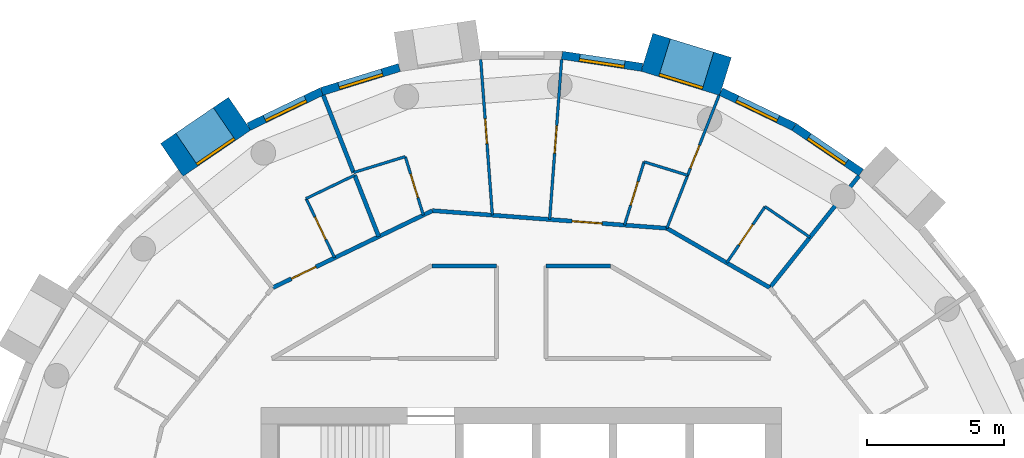
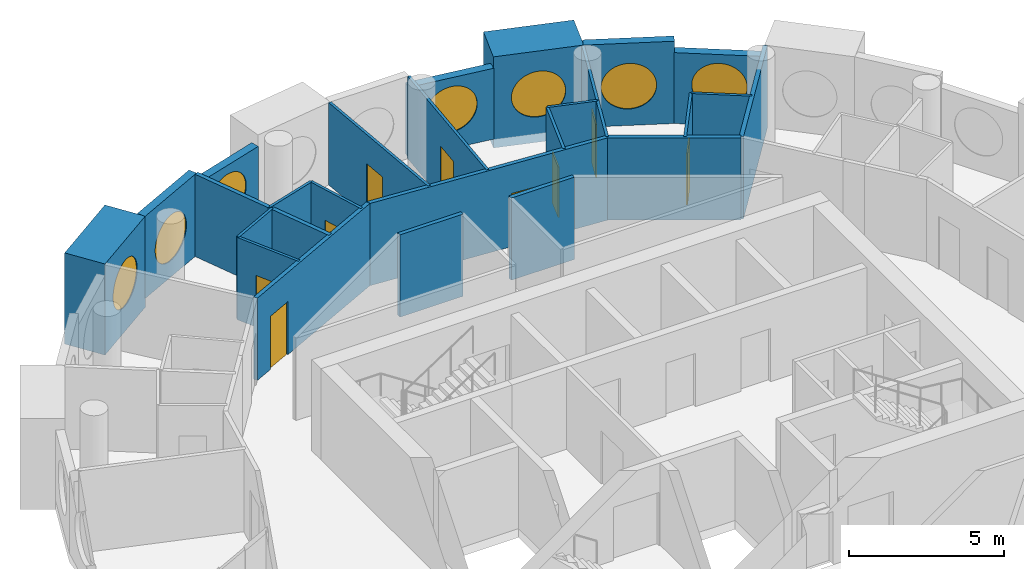
# One storey, part 10 of 12: 27 walls, 9 doors, 7 windows, 16 openings.
"""IFC4 building model written with IfcOpenShell, lengths in metres."""

from ifc_helpers import new_model, si_unit, direction, frame, frame_2d, origin, origin_2d, place, context, subcontext, project, spatial, rectangle, circle, extrude, material, layer, layer_set, type_object, element, fill, save


model = new_model("IFC4")

# Units and contexts
model_context = context("Model", 3, precision=1e-05, world=origin(), true_north=direction((0.0, 1.0)))
body_context = subcontext(model_context, "Body", "Model", "MODEL_VIEW")
ifc_project = project(units=[si_unit("LENGTHUNIT", "METRE"), si_unit("AREAUNIT", "SQUARE_METRE"), si_unit("VOLUMEUNIT", "CUBIC_METRE"), si_unit("PLANEANGLEUNIT", "RADIAN"), si_unit("MASSUNIT", "GRAM", prefix="KILO")], contexts=[model_context])

# Site, building, storey
site_placement = place(None, origin())
site = spatial("IfcSite", under=ifc_project, at=site_placement, CompositionType="ELEMENT")
building_placement = place(site_placement, origin())
building = spatial("IfcBuilding", under=site, at=building_placement, Name="Tracery Tower", CompositionType="ELEMENT")
storey_placement = place(building_placement, frame((0.0, 0.0, 305.39990234375)))
storey = spatial("IfcBuildingStorey", under=building, at=storey_placement, Name="L79", CompositionType="ELEMENT", Elevation=305.39990234375)

# Wall, opening, window
ifc_material_1 = material(Name="Precast concrete C50/60", Category="concrete")
ifc_layer_1 = layer(ifc_material_1, 1.449951171875)
ifc_layer_set_1 = layer_set([ifc_layer_1], Name="Deep-set bay unit 3000 x 3600, slab edge 350")
wall_type_1 = type_object("IfcWallType", Name="Deep-set bay unit 3000 x 3600, slab edge 350", PredefinedType="ELEMENTEDWALL", material=ifc_layer_set_1)
wall_1_placement = place(storey_placement, frame((7.45849609375, 19.0908203125, -0.349853515625), z_axis=(0.0, 0.0, 1.0), x_axis=(-0.955571139978, 0.294760574774, 0.0)))
wall_1 = element("IfcWall", 1, at=wall_1_placement, inside=storey, type_object=wall_type_1, Name="Deep-set bay unit 9 at L79", PredefinedType="ELEMENTEDWALL", context=body_context, shape_type="SweptSolid", body=[
    extrude(rectangle(XDim=3.0, YDim=1.449951171875, at=frame_2d((1.5, 0.0))), origin(), (0.0, 0.0, 1.0), 3.599853515625),
])
opening_1_placement = place(wall_1_placement, frame((1.5, 0.0, 1.89990234375)))
opening_1 = element("IfcOpeningElement", 2, at=opening_1_placement, cuts=wall_1, Name="Opening WN1", PredefinedType="OPENING", context=body_context, shape_type="SweptSolid", body=[
    extrude(circle(Radius=0.9000244140625, at=origin_2d()), frame((0.0, 0.73486328125, 0.0), z_axis=(0.0, -1.0, 0.0), x_axis=(1.0, 0.0, 0.0)), (0.0, 0.0, 1.0), 1.469970703125),
])
ifc_material_2 = material(Name="Aluminium frame with tinted double glazing", Category="aluminium")
window_type = type_object("IfcWindowType", Name="Round window 1800", PartitioningType="SINGLE_PANEL", PredefinedType="WINDOW", material=ifc_material_2)
window_1_placement = place(opening_1_placement, origin())
window_1 = element("IfcWindow", 3, at=window_1_placement, inside=storey, type_object=window_type, Name="Round window 9 at L79", OverallHeight=1.800048828125, OverallWidth=1.800048828125, PartitioningType="SINGLE_PANEL", PredefinedType="WINDOW", context=body_context, shape_type="SweptSolid", body=[
    extrude(circle(Radius=0.9000244140625, at=origin_2d()), frame((0.0, 0.69482421875, 0.0), z_axis=(0.0, -1.0, 0.0), x_axis=(1.0, 0.0, 0.0)), (0.0, 0.0, 1.0), 0.10009765625),
])
fill(opening_1, window_1)

wall_2_placement = place(storey_placement, frame((-10.275390625, 17.734130859375, -0.349853515625), z_axis=(0.0, 0.0, 1.0), x_axis=(-0.826246281157, -0.563309047392, 0.0)))
wall_2 = element("IfcWall", 4, at=wall_2_placement, inside=storey, type_object=wall_type_1, Name="Deep-set bay unit 15 at L79", PredefinedType="ELEMENTEDWALL", context=body_context, shape_type="SweptSolid", body=[
    extrude(rectangle(XDim=3.0, YDim=1.449951171875, at=frame_2d((1.5, 0.0))), origin(), (0.0, 0.0, 1.0), 3.599853515625),
])
opening_2_placement = place(wall_2_placement, frame((1.5, 0.0, 1.89990234375)))
opening_2 = element("IfcOpeningElement", 5, at=opening_2_placement, cuts=wall_2, Name="Opening WN1", PredefinedType="OPENING", context=body_context, shape_type="SweptSolid", body=[
    extrude(circle(Radius=0.9000244140625, at=origin_2d()), frame((0.0, 0.73486328125, 0.0), z_axis=(0.0, -1.0, 0.0), x_axis=(1.0, 0.0, 0.0)), (0.0, 0.0, 1.0), 1.469970703125),
])
window_2_placement = place(opening_2_placement, origin())
window_2 = element("IfcWindow", 6, at=window_2_placement, inside=storey, type_object=window_type, Name="Round window 15 at L79", OverallHeight=1.800048828125, OverallWidth=1.800048828125, PartitioningType="SINGLE_PANEL", PredefinedType="WINDOW", context=body_context, shape_type="SweptSolid", body=[
    extrude(circle(Radius=0.9000244140625, at=origin_2d()), frame((0.0, 0.69482421875, 0.0), z_axis=(0.0, -1.0, 0.0), x_axis=(1.0, 0.0, 0.0)), (0.0, 0.0, 1.0), 0.10009765625),
])
fill(opening_2, window_2)

ifc_material_3 = material(Name="Precast concrete C50/60", Category="concrete")
ifc_layer_2 = layer(ifc_material_3, 0.300048828125)
ifc_layer_set_2 = layer_set([ifc_layer_2], Name="Facade panel 3000 x 2800")
wall_type_2 = type_object("IfcWallType", Name="Facade panel 3000 x 2800", PredefinedType="SOLIDWALL", material=ifc_layer_set_2)
wall_3_placement = place(storey_placement, frame((12.408447265625, 15.583984375, 0.0), z_axis=(0.0, 0.0, 1.0), x_axis=(-0.826236061068, 0.563324037646, 0.0)))
wall_3 = element("IfcWall", 7, at=wall_3_placement, inside=storey, type_object=wall_type_2, Name="Facade panel 7 at L79", PredefinedType="SOLIDWALL", context=body_context, shape_type="SweptSolid", body=[
    extrude(rectangle(XDim=2.962158203125, YDim=0.300048828125, at=frame_2d((1.48095703125, 0.0))), origin(), (0.0, 0.0, 1.0), 2.800048828125),
])
opening_3_placement = place(wall_3_placement, frame((1.48095703125, 0.0, 1.5498046875)))
opening_3 = element("IfcOpeningElement", 8, at=opening_3_placement, cuts=wall_3, Name="Opening WN1", PredefinedType="OPENING", context=body_context, shape_type="SweptSolid", body=[
    extrude(circle(Radius=0.9000244140625, at=origin_2d()), frame((0.0, 0.159912109375, 0.0), z_axis=(0.0, -1.0, 0.0), x_axis=(1.0, 0.0, 0.0)), (0.0, 0.0, 1.0), 0.320068359375),
])
window_3_placement = place(opening_3_placement, origin())
window_3 = element("IfcWindow", 9, at=window_3_placement, inside=storey, type_object=window_type, Name="Round window 7 at L79", OverallHeight=1.800048828125, OverallWidth=1.800048828125, PartitioningType="SINGLE_PANEL", PredefinedType="WINDOW", context=body_context, shape_type="SweptSolid", body=[
    extrude(circle(Radius=0.9000244140625, at=origin_2d()), frame((0.0, 0.1201171875, 0.0), z_axis=(0.0, -1.0, 0.0), x_axis=(1.0, 0.0, 0.0)), (0.0, 0.0, 1.0), 0.10009765625),
])
fill(opening_3, window_3)

wall_4_placement = place(storey_placement, frame((4.41796875, 19.424560546875, 0.0), z_axis=(0.0, 0.0, 1.0), x_axis=(-0.988835775663, 0.149009425104, 0.0)))
wall_4 = element("IfcWall", 10, at=wall_4_placement, inside=storey, type_object=wall_type_2, Name="Facade panel 10 at L79", PredefinedType="SOLIDWALL", context=body_context, shape_type="SweptSolid", body=[
    extrude(rectangle(XDim=2.962158203125, YDim=0.300048828125, at=frame_2d((1.48095703125, 0.0))), origin(), (0.0, 0.0, 1.0), 2.800048828125),
])
opening_4_placement = place(wall_4_placement, frame((1.48095703125, 0.0, 1.5498046875)))
opening_4 = element("IfcOpeningElement", 11, at=opening_4_placement, cuts=wall_4, Name="Opening WN1", PredefinedType="OPENING", context=body_context, shape_type="SweptSolid", body=[
    extrude(circle(Radius=0.9000244140625, at=origin_2d()), frame((0.0, 0.159912109375, 0.0), z_axis=(0.0, -1.0, 0.0), x_axis=(1.0, 0.0, 0.0)), (0.0, 0.0, 1.0), 0.320068359375),
])
window_4_placement = place(opening_4_placement, origin())
window_4 = element("IfcWindow", 12, at=window_4_placement, inside=storey, type_object=window_type, Name="Round window 10 at L79", OverallHeight=1.800048828125, OverallWidth=1.800048828125, PartitioningType="SINGLE_PANEL", PredefinedType="WINDOW", context=body_context, shape_type="SweptSolid", body=[
    extrude(circle(Radius=0.9000244140625, at=origin_2d()), frame((0.0, 0.1201171875, 0.0), z_axis=(0.0, -1.0, 0.0), x_axis=(1.0, 0.0, 0.0)), (0.0, 0.0, 1.0), 0.10009765625),
])
fill(opening_4, window_4)

wall_5_placement = place(storey_placement, frame((-4.447509765625, 19.417724609375, 0.0), z_axis=(0.0, 0.0, 1.0), x_axis=(-0.95558635705, -0.294711238707, 0.0)))
wall_5 = element("IfcWall", 13, at=wall_5_placement, inside=storey, type_object=wall_type_2, Name="Facade panel 13 at L79", PredefinedType="SOLIDWALL", context=body_context, shape_type="SweptSolid", body=[
    extrude(rectangle(XDim=2.96240234375, YDim=0.300048828125, at=frame_2d((1.481201171875, 0.0))), origin(), (0.0, 0.0, 1.0), 2.800048828125),
])
opening_5_placement = place(wall_5_placement, frame((1.48095703125, 0.0, 1.5498046875)))
opening_5 = element("IfcOpeningElement", 14, at=opening_5_placement, cuts=wall_5, Name="Opening WN1", PredefinedType="OPENING", context=body_context, shape_type="SweptSolid", body=[
    extrude(circle(Radius=0.9000244140625, at=origin_2d()), frame((0.0, 0.159912109375, 0.0), z_axis=(0.0, -1.0, 0.0), x_axis=(1.0, 0.0, 0.0)), (0.0, 0.0, 1.0), 0.320068359375),
])
window_5_placement = place(opening_5_placement, origin())
window_5 = element("IfcWindow", 15, at=window_5_placement, inside=storey, type_object=window_type, Name="Round window 13 at L79", OverallHeight=1.800048828125, OverallWidth=1.800048828125, PartitioningType="SINGLE_PANEL", PredefinedType="WINDOW", context=body_context, shape_type="SweptSolid", body=[
    extrude(circle(Radius=0.9000244140625, at=origin_2d()), frame((0.0, 0.1201171875, 0.0), z_axis=(0.0, -1.0, 0.0), x_axis=(1.0, 0.0, 0.0)), (0.0, 0.0, 1.0), 0.10009765625),
])
fill(opening_5, window_5)

ifc_material_4 = material(Name="Precast concrete C50/60", Category="concrete")
ifc_layer_3 = layer(ifc_material_4, 0.300048828125)
ifc_layer_set_3 = layer_set([ifc_layer_3], Name="Facade panel 3000 x 3250")
wall_type_3 = type_object("IfcWallType", Name="Facade panel 3000 x 3250", PredefinedType="SOLIDWALL", material=ifc_layer_set_3)
wall_6_placement = place(storey_placement, frame((9.9609375, 17.252685546875, 0.0), z_axis=(0.0, 0.0, 1.0), x_axis=(-0.90095513435, 0.433912255978, 0.0)))
wall_6 = element("IfcWall", 16, at=wall_6_placement, inside=storey, type_object=wall_type_3, Name="Facade panel 8 at L79", PredefinedType="SOLIDWALL", context=body_context, shape_type="SweptSolid", body=[
    extrude(rectangle(XDim=2.96240234375, YDim=0.300048828125, at=frame_2d((1.481201171875, 0.0))), origin(), (0.0, 0.0, 1.0), 3.25),
])
opening_6_placement = place(wall_6_placement, frame((1.48095703125, 0.0, 1.5498046875)))
opening_6 = element("IfcOpeningElement", 17, at=opening_6_placement, cuts=wall_6, Name="Opening WN1", PredefinedType="OPENING", context=body_context, shape_type="SweptSolid", body=[
    extrude(circle(Radius=0.9000244140625, at=origin_2d()), frame((0.0, 0.159912109375, 0.0), z_axis=(0.0, -1.0, 0.0), x_axis=(1.0, 0.0, 0.0)), (0.0, 0.0, 1.0), 0.320068359375),
])
window_6_placement = place(opening_6_placement, origin())
window_6 = element("IfcWindow", 18, at=window_6_placement, inside=storey, type_object=window_type, Name="Round window 8 at L79", OverallHeight=1.800048828125, OverallWidth=1.800048828125, PartitioningType="SINGLE_PANEL", PredefinedType="WINDOW", context=body_context, shape_type="SweptSolid", body=[
    extrude(circle(Radius=0.9000244140625, at=origin_2d()), frame((0.0, 0.1201171875, 0.0), z_axis=(0.0, -1.0, 0.0), x_axis=(1.0, 0.0, 0.0)), (0.0, 0.0, 1.0), 0.10009765625),
])
fill(opening_6, window_6)

wall_7_placement = place(storey_placement, frame((-7.2783203125, 18.544677734375, 0.0), z_axis=(0.0, 0.0, 1.0), x_axis=(-0.900939615635, -0.433944476838, 0.0)))
wall_7 = element("IfcWall", 19, at=wall_7_placement, inside=storey, type_object=wall_type_3, Name="Facade panel 14 at L79", PredefinedType="SOLIDWALL", context=body_context, shape_type="SweptSolid", body=[
    extrude(rectangle(XDim=2.962158203125, YDim=0.300048828125, at=frame_2d((1.48095703125, 0.0))), origin(), (0.0, 0.0, 1.0), 3.25),
])
opening_7_placement = place(wall_7_placement, frame((1.48095703125, 0.0, 1.5498046875)))
opening_7 = element("IfcOpeningElement", 20, at=opening_7_placement, cuts=wall_7, Name="Opening WN1", PredefinedType="OPENING", context=body_context, shape_type="SweptSolid", body=[
    extrude(circle(Radius=0.9000244140625, at=origin_2d()), frame((0.0, 0.159912109375, 0.0), z_axis=(0.0, -1.0, 0.0), x_axis=(1.0, 0.0, 0.0)), (0.0, 0.0, 1.0), 0.320068359375),
])
window_7_placement = place(opening_7_placement, origin())
window_7 = element("IfcWindow", 21, at=window_7_placement, inside=storey, type_object=window_type, Name="Round window 14 at L79", OverallHeight=1.800048828125, OverallWidth=1.800048828125, PartitioningType="SINGLE_PANEL", PredefinedType="WINDOW", context=body_context, shape_type="SweptSolid", body=[
    extrude(circle(Radius=0.9000244140625, at=origin_2d()), frame((0.0, 0.1201171875, 0.0), z_axis=(0.0, -1.0, 0.0), x_axis=(1.0, 0.0, 0.0)), (0.0, 0.0, 1.0), 0.10009765625),
])
fill(opening_7, window_7)

# Wall, opening, door
ifc_material_5 = material(Name="Plasterboard on steel studs", Category="steel")
ifc_layer_4 = layer(ifc_material_5, 0.10009765625)
ifc_layer_set_4 = layer_set([ifc_layer_4], Name="Partition 100 stud")
wall_type_4 = type_object("IfcWallType", Name="Partition 100 stud", PredefinedType="PARTITIONING", material=ifc_layer_set_4)
wall_8_placement = place(storey_placement, frame((1.0400390625, 13.87109375, 0.0), z_axis=(0.0, 0.0, 1.0), x_axis=(0.074724712234, 0.997204200443, 0.0)))
wall_8 = element("IfcWall", 22, at=wall_8_placement, inside=storey, type_object=wall_type_4, Name="Stud partition RC8-054", PredefinedType="PARTITIONING", context=body_context, shape_type="SweptSolid", body=[
    extrude(rectangle(XDim=5.861328125, YDim=0.10009765625, at=frame_2d((2.9306640625, 0.0))), origin(), (0.0, 0.0, 1.0), 3.25),
])
opening_8_placement = place(wall_8_placement, frame((2.430908203125, 0.0, 0.0)))
opening_8 = element("IfcOpeningElement", 23, at=opening_8_placement, cuts=wall_8, Name="Opening RC8-11", PredefinedType="OPENING", context=body_context, shape_type="SweptSolid", body=[
    extrude(rectangle(XDim=1.0, YDim=2.0400390625, at=frame_2d((0.5, 1.02001953125))), frame((0.0, 0.050048828125, 0.0), z_axis=(0.0, -1.0, 0.0), x_axis=(1.0, 0.0, 0.0)), (0.0, 0.0, 1.0), 0.10009765625),
])
ifc_material_6 = material(Name="Timber door leaf", Category="wood")
door_type_1 = type_object("IfcDoorType", Name="Door communal room 1000", OperationType="NOTDEFINED", PredefinedType="DOOR", material=ifc_material_6)
door_1_placement = place(opening_8_placement, origin())
door_1 = element("IfcDoor", 24, at=door_1_placement, inside=storey, type_object=door_type_1, Name="Communal room door RC8-11", OperationType="SINGLE_SWING_RIGHT", OverallHeight=2.0400390625, OverallWidth=1.0, PredefinedType="DOOR", context=body_context, shape_type="SweptSolid", body=[
    extrude(rectangle(XDim=1.0, YDim=2.0400390625, at=frame_2d((0.5, 1.02001953125))), frame((0.0, 0.02490234375, 0.0), z_axis=(0.0, -1.0, 0.0), x_axis=(1.0, 0.0, 0.0)), (0.0, 0.0, 1.0), 0.050048828125),
])
fill(opening_8, door_1)

wall_9_placement = place(storey_placement, frame((6.076904296875, 15.485107421875, 0.0), z_axis=(0.0, 0.0, 1.0), x_axis=(0.365344119851, 0.93087253375, 0.0)))
wall_9 = element("IfcWall", 25, at=wall_9_placement, inside=storey, type_object=wall_type_4, Name="Stud partition RC8-057", PredefinedType="PARTITIONING", context=body_context, shape_type="SweptSolid", body=[
    extrude(rectangle(XDim=3.13671875, YDim=0.10009765625, at=frame_2d((1.568359375, 0.0))), origin(), (0.0, 0.0, 1.0), 3.25),
])
opening_9_placement = place(wall_9_placement, frame((0.27685546875, 0.0, 0.0)))
opening_9 = element("IfcOpeningElement", 26, at=opening_9_placement, cuts=wall_9, Name="Opening RC8-13", PredefinedType="OPENING", context=body_context, shape_type="SweptSolid", body=[
    extrude(rectangle(XDim=0.89990234375, YDim=2.10009765625, at=frame_2d((0.449951171875, 1.050048828125))), frame((0.0, 0.050048828125, 0.0), z_axis=(0.0, -1.0, 0.0), x_axis=(1.0, 0.0, 0.0)), (0.0, 0.0, 1.0), 0.10009765625),
])
ifc_material_7 = material(Name="Timber door leaf", Category="wood")
door_type_2 = type_object("IfcDoorType", Name="Door bedroom 900", OperationType="NOTDEFINED", PredefinedType="DOOR", material=ifc_material_7)
door_2_placement = place(opening_9_placement, origin())
door_2 = element("IfcDoor", 27, at=door_2_placement, inside=storey, type_object=door_type_2, Name="Bedroom door RC8-13", OperationType="SINGLE_SWING_RIGHT", OverallHeight=2.10009765625, OverallWidth=0.89990234375, PredefinedType="DOOR", context=body_context, shape_type="SweptSolid", body=[
    extrude(rectangle(XDim=0.89990234375, YDim=2.10009765625, at=frame_2d((0.449951171875, 1.050048828125))), frame((0.0, 0.02490234375, 0.0), z_axis=(0.0, -1.0, 0.0), x_axis=(1.0, 0.0, 0.0)), (0.0, 0.0, 1.0), 0.050048828125),
])
fill(opening_9, door_2)

wall_10_placement = place(storey_placement, frame((-1.47802734375, 19.716064453125, 0.0), z_axis=(0.0, 0.0, 1.0), x_axis=(0.074860175832, -0.997194040332, 0.0)))
wall_10 = element("IfcWall", 28, at=wall_10_placement, inside=storey, type_object=wall_type_4, Name="Stud partition RC8-058", PredefinedType="PARTITIONING", context=body_context, shape_type="SweptSolid", body=[
    extrude(rectangle(XDim=5.7041015625, YDim=0.10009765625, at=frame_2d((2.85205078125, 0.0))), origin(), (0.0, 0.0, 1.0), 3.25),
])
opening_10_placement = place(wall_10_placement, frame((2.181884765625, 0.0, 0.0)))
opening_10 = element("IfcOpeningElement", 29, at=opening_10_placement, cuts=wall_10, Name="Opening RC8-15", PredefinedType="OPENING", context=body_context, shape_type="SweptSolid", body=[
    extrude(rectangle(XDim=0.89990234375, YDim=2.10009765625, at=frame_2d((0.449951171875, 1.050048828125))), frame((0.0, 0.050048828125, 0.0), z_axis=(0.0, -1.0, 0.0), x_axis=(1.0, 0.0, 0.0)), (0.0, 0.0, 1.0), 0.10009765625),
])
door_3_placement = place(opening_10_placement, origin())
door_3 = element("IfcDoor", 30, at=door_3_placement, inside=storey, type_object=door_type_2, Name="Bedroom door RC8-15", OperationType="SINGLE_SWING_RIGHT", OverallHeight=2.10009765625, OverallWidth=0.89990234375, PredefinedType="DOOR", context=body_context, shape_type="SweptSolid", body=[
    extrude(rectangle(XDim=0.89990234375, YDim=2.10009765625, at=frame_2d((0.449951171875, 1.050048828125))), frame((0.0, 0.02490234375, 0.0), z_axis=(0.0, -1.0, 0.0), x_axis=(1.0, 0.0, 0.0)), (0.0, 0.0, 1.0), 0.050048828125),
])
fill(opening_10, door_3)

# Wall
ifc_material_8 = material(Name="Plasterboard on steel studs", Category="steel")
ifc_layer_5 = layer(ifc_material_8, 0.10009765625)
ifc_layer_set_5 = layer_set([ifc_layer_5], Name="Partition 100 wet wall")
wall_type_5 = type_object("IfcWallType", Name="Partition 100 wet wall", PredefinedType="PARTITIONING", material=ifc_layer_set_5)
wall_11_placement = place(storey_placement, frame((4.486083984375, 15.97607421875, 0.0), z_axis=(0.0, 0.0, 1.0), x_axis=(0.955528179313, -0.294899811019, 0.0)))
element("IfcWall", 31, at=wall_11_placement, inside=storey, type_object=wall_type_5, Name="Wet wall RC8-055", PredefinedType="PARTITIONING", context=body_context, shape_type="SweptSolid", body=[
    extrude(rectangle(XDim=1.664794921875, YDim=0.10009765625, at=frame_2d((0.83251953125, 0.0))), origin(), (0.0, 0.0, 1.0), 3.25),
])

# Wall, opening, door
wall_12_placement = place(storey_placement, frame((3.77294921875, 13.6669921875, 0.0), z_axis=(0.0, 0.0, 1.0), x_axis=(0.295086629105, 0.955470502592, 0.0)))
wall_12 = element("IfcWall", 32, at=wall_12_placement, inside=storey, type_object=wall_type_5, Name="Wet wall RC8-056", PredefinedType="PARTITIONING", context=body_context, shape_type="SweptSolid", body=[
    extrude(rectangle(XDim=2.416748046875, YDim=0.10009765625, at=frame_2d((1.20849609375, 0.0))), origin(), (0.0, 0.0, 1.0), 3.25),
])
opening_11_placement = place(wall_12_placement, frame((0.758544921875, 0.0, 0.0)))
opening_11 = element("IfcOpeningElement", 33, at=opening_11_placement, cuts=wall_12, Name="Opening RC8-12", PredefinedType="OPENING", context=body_context, shape_type="SweptSolid", body=[
    extrude(rectangle(XDim=0.89990234375, YDim=2.0, at=frame_2d((0.449951171875, 1.0))), frame((0.0, 0.050048828125, 0.0), z_axis=(0.0, -1.0, 0.0), x_axis=(1.0, 0.0, 0.0)), (0.0, 0.0, 1.0), 0.10009765625),
])
ifc_material_9 = material(Name="Timber door leaf", Category="wood")
door_type_3 = type_object("IfcDoorType", Name="Door shower room 900", OperationType="NOTDEFINED", PredefinedType="DOOR", material=ifc_material_9)
door_4_placement = place(opening_11_placement, origin())
door_4 = element("IfcDoor", 34, at=door_4_placement, inside=storey, type_object=door_type_3, Name="Shower room door RC8-12", OperationType="SINGLE_SWING_LEFT", OverallHeight=2.0, OverallWidth=0.89990234375, PredefinedType="DOOR", context=body_context, shape_type="SweptSolid", body=[
    extrude(rectangle(XDim=0.89990234375, YDim=2.0, at=frame_2d((0.449951171875, 1.0))), frame((0.0, 0.02490234375, 0.0), z_axis=(0.0, -1.0, 0.0), x_axis=(1.0, 0.0, 0.0)), (0.0, 0.0, 1.0), 0.050048828125),
])
fill(opening_11, door_4)

# Walls
wall_13_placement = place(storey_placement, frame((5.318115234375, 13.551025390625, 0.0), z_axis=(0.0, 0.0, 1.0), x_axis=(0.365223322063, 0.930919934807, 0.0)))
element("IfcWall", 35, at=wall_13_placement, inside=storey, type_object=wall_type_5, Name="Wet wall RC8-059", PredefinedType="PARTITIONING", context=body_context, shape_type="SweptSolid", body=[
    extrude(rectangle(XDim=2.07763671875, YDim=0.10009765625, at=frame_2d((1.038818359375, 0.0))), origin(), (0.0, 0.0, 1.0), 3.25),
])
wall_14_placement = place(storey_placement, frame((8.902099609375, 14.340087890625, 0.0), z_axis=(0.0, 0.0, 1.0), x_axis=(0.826141514998, -0.563462684831, 0.0)))
element("IfcWall", 36, at=wall_14_placement, inside=storey, type_object=wall_type_5, Name="Wet wall RC8-060", PredefinedType="PARTITIONING", context=body_context, shape_type="SweptSolid", body=[
    extrude(rectangle(XDim=1.986083984375, YDim=0.10009765625, at=frame_2d((0.9931640625, 0.0))), origin(), (0.0, 0.0, 1.0), 3.25),
])

# Wall, opening, door
wall_15_placement = place(storey_placement, frame((7.50390625, 12.2890625, 0.0), z_axis=(0.0, 0.0, 1.0), x_axis=(0.563272733387, 0.826271037749, 0.0)))
wall_15 = element("IfcWall", 37, at=wall_15_placement, inside=storey, type_object=wall_type_5, Name="Wet wall RC8-061", PredefinedType="PARTITIONING", context=body_context, shape_type="SweptSolid", body=[
    extrude(rectangle(XDim=2.482177734375, YDim=0.10009765625, at=frame_2d((1.2412109375, 0.0))), origin(), (0.0, 0.0, 1.0), 3.25),
])
opening_12_placement = place(wall_15_placement, frame((0.791015625, 0.0, 0.0)))
opening_12 = element("IfcOpeningElement", 38, at=opening_12_placement, cuts=wall_15, Name="Opening RC8-14", PredefinedType="OPENING", context=body_context, shape_type="SweptSolid", body=[
    extrude(rectangle(XDim=0.89990234375, YDim=2.0400390625, at=frame_2d((0.449951171875, 1.02001953125))), frame((0.0, 0.050048828125, 0.0), z_axis=(0.0, -1.0, 0.0), x_axis=(1.0, 0.0, 0.0)), (0.0, 0.0, 1.0), 0.10009765625),
])
ifc_material_10 = material(Name="Timber door leaf", Category="wood")
door_type_4 = type_object("IfcDoorType", Name="Door en-suite 900", OperationType="NOTDEFINED", PredefinedType="DOOR", material=ifc_material_10)
door_5_placement = place(opening_12_placement, origin())
door_5 = element("IfcDoor", 39, at=door_5_placement, inside=storey, type_object=door_type_4, Name="En-suite door RC8-14", OperationType="SINGLE_SWING_LEFT", OverallHeight=2.0400390625, OverallWidth=0.89990234375, PredefinedType="DOOR", context=body_context, shape_type="SweptSolid", body=[
    extrude(rectangle(XDim=0.89990234375, YDim=2.0400390625, at=frame_2d((0.449951171875, 1.02001953125))), frame((0.0, 0.02490234375, 0.0), z_axis=(0.0, -1.0, 0.0), x_axis=(1.0, 0.0, 0.0)), (0.0, 0.0, 1.0), 0.050048828125),
])
fill(opening_12, door_5)

wall_16_placement = place(storey_placement, frame((-4.23095703125, 16.166015625, 0.0), z_axis=(0.0, 0.0, 1.0), x_axis=(0.295030507093, -0.955487833457, 0.0)))
wall_16 = element("IfcWall", 40, at=wall_16_placement, inside=storey, type_object=wall_type_5, Name="Wet wall RC8-062", PredefinedType="PARTITIONING", context=body_context, shape_type="SweptSolid", body=[
    extrude(rectangle(XDim=2.2333984375, YDim=0.10009765625, at=frame_2d((1.11669921875, 0.0))), origin(), (0.0, 0.0, 1.0), 3.25),
])
opening_13_placement = place(wall_16_placement, frame((0.66650390625, 0.0, 0.0)))
opening_13 = element("IfcOpeningElement", 41, at=opening_13_placement, cuts=wall_16, Name="Opening RC8-16", PredefinedType="OPENING", context=body_context, shape_type="SweptSolid", body=[
    extrude(rectangle(XDim=0.89990234375, YDim=2.0400390625, at=frame_2d((0.449951171875, 1.02001953125))), frame((0.0, 0.050048828125, 0.0), z_axis=(0.0, -1.0, 0.0), x_axis=(1.0, 0.0, 0.0)), (0.0, 0.0, 1.0), 0.10009765625),
])
door_6_placement = place(opening_13_placement, origin())
door_6 = element("IfcDoor", 42, at=door_6_placement, inside=storey, type_object=door_type_4, Name="En-suite door RC8-16", OperationType="SINGLE_SWING_RIGHT", OverallHeight=2.0400390625, OverallWidth=0.89990234375, PredefinedType="DOOR", context=body_context, shape_type="SweptSolid", body=[
    extrude(rectangle(XDim=0.89990234375, YDim=2.0400390625, at=frame_2d((0.449951171875, 1.02001953125))), frame((0.0, 0.02490234375, 0.0), z_axis=(0.0, -1.0, 0.0), x_axis=(1.0, 0.0, 0.0)), (0.0, 0.0, 1.0), 0.050048828125),
])
fill(opening_13, door_6)

# Walls
wall_17_placement = place(storey_placement, frame((-6.116943359375, 15.5849609375, 0.0), z_axis=(0.0, 0.0, 1.0), x_axis=(0.955671951668, 0.294433559219, 0.0)))
element("IfcWall", 43, at=wall_17_placement, inside=storey, type_object=wall_type_5, Name="Wet wall RC8-063", PredefinedType="PARTITIONING", context=body_context, shape_type="SweptSolid", body=[
    extrude(rectangle(XDim=1.973388671875, YDim=0.10009765625, at=frame_2d((0.98681640625, 0.0))), origin(), (0.0, 0.0, 1.0), 3.25),
])
wall_18_placement = place(storey_placement, frame((-7.85009765625, 14.635009765625, 0.0), z_axis=(0.0, 0.0, 1.0), x_axis=(0.900936932599, 0.433950047216, 0.0)))
element("IfcWall", 44, at=wall_18_placement, inside=storey, type_object=wall_type_5, Name="Wet wall RC8-066", PredefinedType="PARTITIONING", context=body_context, shape_type="SweptSolid", body=[
    extrude(rectangle(XDim=1.9658203125, YDim=0.10009765625, at=frame_2d((0.98291015625, 0.0))), origin(), (0.0, 0.0, 1.0), 3.25),
])

# Wall, opening, door
wall_19_placement = place(storey_placement, frame((-7.85009765625, 14.635009765625, 0.0), z_axis=(0.0, 0.0, 1.0), x_axis=(0.433815618773, -0.901001669759, 0.0)))
wall_19 = element("IfcWall", 45, at=wall_19_placement, inside=storey, type_object=wall_type_5, Name="Wet wall RC8-067", PredefinedType="PARTITIONING", context=body_context, shape_type="SweptSolid", body=[
    extrude(rectangle(XDim=2.399658203125, YDim=0.10009765625, at=frame_2d((1.19970703125, 0.0))), origin(), (0.0, 0.0, 1.0), 3.25),
])
opening_14_placement = place(wall_19_placement, frame((0.75, 0.0, 0.0)))
opening_14 = element("IfcOpeningElement", 46, at=opening_14_placement, cuts=wall_19, Name="Opening RC8-17", PredefinedType="OPENING", context=body_context, shape_type="SweptSolid", body=[
    extrude(rectangle(XDim=0.89990234375, YDim=2.0400390625, at=frame_2d((0.449951171875, 1.02001953125))), frame((0.0, 0.050048828125, 0.0), z_axis=(0.0, -1.0, 0.0), x_axis=(1.0, 0.0, 0.0)), (0.0, 0.0, 1.0), 0.10009765625),
])
door_7_placement = place(opening_14_placement, origin())
door_7 = element("IfcDoor", 47, at=door_7_placement, inside=storey, type_object=door_type_4, Name="En-suite door RC8-17", OperationType="SINGLE_SWING_RIGHT", OverallHeight=2.0400390625, OverallWidth=0.89990234375, PredefinedType="DOOR", context=body_context, shape_type="SweptSolid", body=[
    extrude(rectangle(XDim=0.89990234375, YDim=2.0400390625, at=frame_2d((0.449951171875, 1.02001953125))), frame((0.0, 0.02490234375, 0.0), z_axis=(0.0, -1.0, 0.0), x_axis=(1.0, 0.0, 0.0)), (0.0, 0.0, 1.0), 0.050048828125),
])
fill(opening_14, door_7)

# Walls
ifc_material_11 = material(Name="Plasterboard on steel studs", Category="steel")
ifc_layer_6 = layer(ifc_material_11, 0.14990234375)
ifc_layer_set_6 = layer_set([ifc_layer_6], Name="Partition 150 acoustic unit wall")
wall_type_6 = type_object("IfcWallType", Name="Partition 150 acoustic unit wall", PredefinedType="PARTITIONING", material=ifc_layer_set_6)
wall_20_placement = place(storey_placement, frame((9.076171875, 11.380859375, 0.0), z_axis=(0.0, 0.0, 1.0), x_axis=(0.623409504508, 0.781895510723, 0.0)))
element("IfcWall", 48, at=wall_20_placement, inside=storey, type_object=wall_type_6, Name="Unit wall RC8-053", PredefinedType="PARTITIONING", context=body_context, shape_type="SweptSolid", body=[
    extrude(rectangle(XDim=5.21435546875, YDim=0.14990234375, at=frame_2d((2.607177734375, 0.0))), origin(), (0.0, 0.0, 1.0), 3.25),
])
wall_21_placement = place(storey_placement, frame((-7.222900390625, 18.405029296875, 0.0), z_axis=(0.0, 0.0, 1.0), x_axis=(0.365101225584, -0.93096782709, 0.0)))
element("IfcWall", 49, at=wall_21_placement, inside=storey, type_object=wall_type_6, Name="Unit wall RC8-064", PredefinedType="PARTITIONING", context=body_context, shape_type="SweptSolid", body=[
    extrude(rectangle(XDim=3.029296875, YDim=0.14990234375, at=frame_2d((1.5146484375, 0.0))), origin(), (0.0, 0.0, 1.0), 3.25),
])
wall_22_placement = place(storey_placement, frame((-6.080078125, 15.491943359375, 0.0), z_axis=(0.0, 0.0, 1.0), x_axis=(0.36549883342, -0.930811797717, 0.0)))
element("IfcWall", 50, at=wall_22_placement, inside=storey, type_object=wall_type_6, Name="Unit wall RC8-065", PredefinedType="PARTITIONING", context=body_context, shape_type="SweptSolid", body=[
    extrude(rectangle(XDim=2.41064453125, YDim=0.14990234375, at=frame_2d((1.205322265625, 0.0))), origin(), (0.0, 0.0, 1.0), 3.25),
])
ifc_material_12 = material(Name="Plasterboard on steel studs", Category="steel")
ifc_layer_7 = layer(ifc_material_12, 0.14990234375)
ifc_layer_set_7 = layer_set([ifc_layer_7], Name="Partition 150 corridor wall")
wall_type_7 = type_object("IfcWallType", Name="Partition 150 corridor wall", PredefinedType="PARTITIONING", material=ifc_layer_set_7)
for number, where, z_axis, x_axis, name in (
    (51, (-3.260986328125, 12.1708984375, 0.0), (0.0, 0.0, 1.0), (1.0, 0.0, 0.0), "Corridor wall RC8-026"),
    (52, (0.89990234375, 12.1708984375, 0.0), (0.0, 0.0, 1.0), (1.0, 0.0, 0.0), "Corridor wall RC8-028"),
):
    element("IfcWall", number, at=place(storey_placement, frame(where, z_axis=z_axis, x_axis=x_axis)), inside=storey, type_object=wall_type_7, Name=name, PredefinedType="PARTITIONING", context=body_context, shape_type="SweptSolid", body=[
        extrude(rectangle(XDim=2.361083984375, YDim=0.14990234375, at=frame_2d((1.1806640625, 0.0))), origin(), (0.0, 0.0, 1.0), 3.25),
    ])

# Wall, opening, door
wall_23_placement = place(storey_placement, frame((-3.239013671875, 14.193359375, 0.0), z_axis=(0.0, 0.0, 1.0), x_axis=(0.997187999346, -0.074940602878, 0.0)))
wall_23 = element("IfcWall", 53, at=wall_23_placement, inside=storey, type_object=wall_type_7, Name="Corridor wall RC8-030", PredefinedType="PARTITIONING", context=body_context, shape_type="SweptSolid", body=[
    extrude(rectangle(XDim=8.5810546875, YDim=0.14990234375, at=frame_2d((4.29052734375, 0.0))), origin(), (0.0, 0.0, 1.0), 3.25),
])
opening_15_placement = place(wall_23_placement, frame((5.111083984375, 0.0, 0.0)))
opening_15 = element("IfcOpeningElement", 54, at=opening_15_placement, cuts=wall_23, Name="Opening RC8-10", PredefinedType="OPENING", context=body_context, shape_type="SweptSolid", body=[
    extrude(rectangle(XDim=1.10009765625, YDim=2.10009765625, at=frame_2d((0.550048828125, 1.050048828125))), frame((0.0, 0.074951171875, 0.0), z_axis=(0.0, -1.0, 0.0), x_axis=(1.0, 0.0, 0.0)), (0.0, 0.0, 1.0), 0.14990234375),
])
ifc_material_13 = material(Name="Timber door leaf", Category="wood")
door_type_5 = type_object("IfcDoorType", Name="Door cluster entrance 1100", OperationType="NOTDEFINED", PredefinedType="DOOR", material=ifc_material_13)
door_8_placement = place(opening_15_placement, origin())
door_8 = element("IfcDoor", 55, at=door_8_placement, inside=storey, type_object=door_type_5, Name="Cluster entrance door RC8-10", OperationType="SINGLE_SWING_LEFT", OverallHeight=2.10009765625, OverallWidth=1.10009765625, PredefinedType="DOOR", context=body_context, shape_type="SweptSolid", body=[
    extrude(rectangle(XDim=1.10009765625, YDim=2.10009765625, at=frame_2d((0.550048828125, 1.050048828125))), frame((0.0, 0.02490234375, 0.0), z_axis=(0.0, -1.0, 0.0), x_axis=(1.0, 0.0, 0.0)), (0.0, 0.0, 1.0), 0.050048828125),
])
fill(opening_15, door_8)

# Wall
wall_24_placement = place(storey_placement, frame((5.318115234375, 13.551025390625, 0.0), z_axis=(0.0, 0.0, 1.0), x_axis=(0.865990693744, -0.500060114735, 0.0)))
element("IfcWall", 56, at=wall_24_placement, inside=storey, type_object=wall_type_7, Name="Corridor wall RC8-031", PredefinedType="PARTITIONING", context=body_context, shape_type="SweptSolid", body=[
    extrude(rectangle(XDim=4.33935546875, YDim=0.14990234375, at=frame_2d((2.169677734375, 0.0))), origin(), (0.0, 0.0, 1.0), 3.25),
])

# Wall, opening, door
wall_25_placement = place(storey_placement, frame((-9.07470703125, 11.37841796875, 0.0), z_axis=(0.0, 0.0, 1.0), x_axis=(0.900778421649, 0.434278983018, 0.0)))
wall_25 = element("IfcWall", 57, at=wall_25_placement, inside=storey, type_object=wall_type_7, Name="Corridor wall RC8-032", PredefinedType="PARTITIONING", context=body_context, shape_type="SweptSolid", body=[
    extrude(rectangle(XDim=6.478515625, YDim=0.14990234375, at=frame_2d((3.2392578125, 0.0))), origin(), (0.0, 0.0, 1.0), 3.25),
])
opening_16_placement = place(wall_25_placement, frame((0.760009765625, 0.0, 0.0)))
opening_16 = element("IfcOpeningElement", 58, at=opening_16_placement, cuts=wall_25, Name="Opening RC8-18", PredefinedType="OPENING", context=body_context, shape_type="SweptSolid", body=[
    extrude(rectangle(XDim=1.0, YDim=2.10009765625, at=frame_2d((0.5, 1.050048828125))), frame((0.0, 0.074951171875, 0.0), z_axis=(0.0, -1.0, 0.0), x_axis=(1.0, 0.0, 0.0)), (0.0, 0.0, 1.0), 0.14990234375),
])
ifc_material_14 = material(Name="Timber door leaf", Category="wood")
door_type_6 = type_object("IfcDoorType", Name="Door unit entrance 1000", OperationType="NOTDEFINED", PredefinedType="DOOR", material=ifc_material_14)
door_9_placement = place(opening_16_placement, origin())
door_9 = element("IfcDoor", 59, at=door_9_placement, inside=storey, type_object=door_type_6, Name="Unit entrance door RC8-18", OperationType="SINGLE_SWING_LEFT", OverallHeight=2.10009765625, OverallWidth=1.0, PredefinedType="DOOR", context=body_context, shape_type="SweptSolid", body=[
    extrude(rectangle(XDim=1.0, YDim=2.10009765625, at=frame_2d((0.5, 1.050048828125))), frame((0.0, 0.02490234375, 0.0), z_axis=(0.0, -1.0, 0.0), x_axis=(1.0, 0.0, 0.0)), (0.0, 0.0, 1.0), 0.050048828125),
])
fill(opening_16, door_9)

save(model, "model.ifc")
